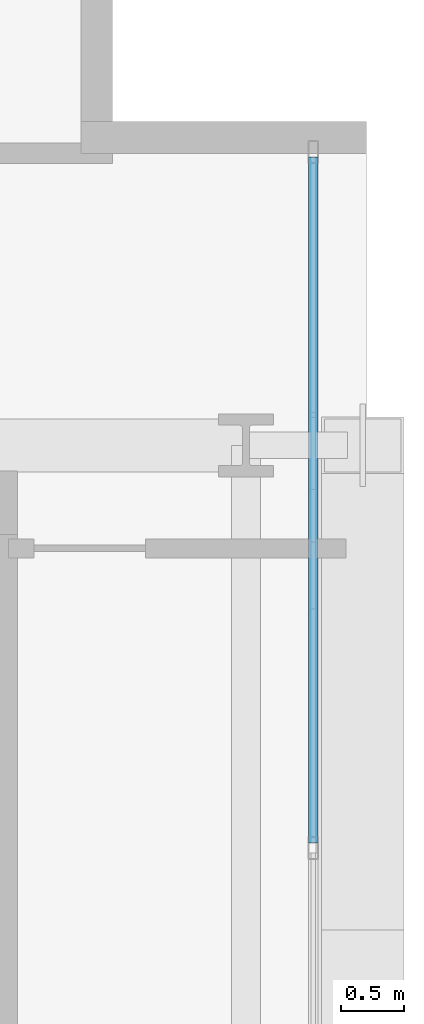
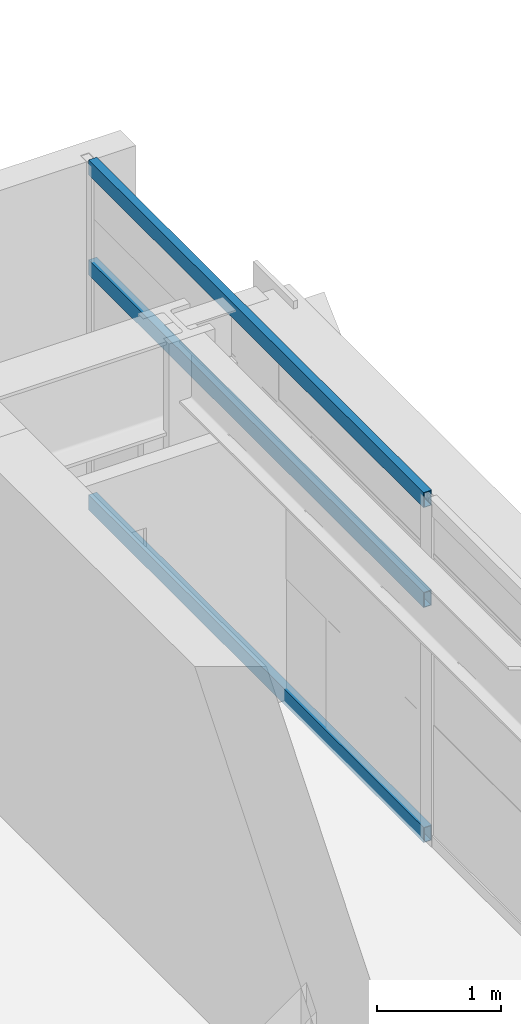
# One storey, part 15 of 32: 3 members, 1 element without a shape of its own.
"""IFC4 building model written with IfcOpenShell, lengths in metres."""

from ifc_helpers import new_model, si_unit, direction, frame, origin, origin_2d, place, context, subcontext, project, spatial, hollow_rectangle, extrude, source, transform, mapped, material, layer, layer_set, material_profile, profile_set, type_object, element, aggregate, save


model = new_model("IFC4")

# Units and contexts
model_context = context("Model", 3, precision=1e-05, world=origin(), true_north=direction((0.0, 1.0)))
body_context = subcontext(model_context, "Body", "Model", "MODEL_VIEW")
ifc_project = project(units=[si_unit("LENGTHUNIT", "METRE"), si_unit("AREAUNIT", "SQUARE_METRE"), si_unit("VOLUMEUNIT", "CUBIC_METRE"), si_unit("PLANEANGLEUNIT", "RADIAN"), si_unit("MASSUNIT", "GRAM", prefix="KILO")], contexts=[model_context])

# Site, building, storey
site_placement = place(None, origin())
site = spatial("IfcSite", under=ifc_project, at=site_placement, CompositionType="ELEMENT")
building_placement = place(site_placement, origin())
building = spatial("IfcBuilding", under=site, at=building_placement, Name="Ocotamira Hotel", CompositionType="ELEMENT")
storey_placement = place(building_placement, frame((0.0, 0.0, 213.60009765625)))
storey = spatial("IfcBuildingStorey", under=building, at=storey_placement, Name="L54", CompositionType="ELEMENT", Elevation=213.60009765625)

# Curtain wall, members
ifc_material_1 = material(Name="Anodised pale-metal aluminium and solar glass", Category="aluminium")
ifc_layer = layer(ifc_material_1, 0.199951171875)
ifc_layer_set = layer_set([ifc_layer], Name="Anodised pale-metal aluminium and solar glass")
curtain_wall_type = type_object("IfcCurtainWallType", Name="CW-SYS4-Z3", PredefinedType="NOTDEFINED", material=ifc_layer_set)
curtain_wall_placement = place(storey_placement, origin())
curtain_wall = element("IfcCurtainWall", 1, at=curtain_wall_placement, inside=storey, type_object=curtain_wall_type, Name="L54 Curtain Wall CW-4 CW-L54-E", PredefinedType="NOTDEFINED")
ifc_material_2 = material(Name="Anodised pale-metal aluminium 6063-T6", Category="aluminium")
ifc_material_profile = material_profile(ifc_material_2, hollow_rectangle(XDim=0.074951171875, YDim=0.14990234375, WallThickness=0.006103515625, at=origin_2d()), Name="HSS150X75X6")
ifc_profile_set = profile_set([ifc_material_profile], Name="Anodised pale-metal aluminium 6063-T6")
member_type = type_object("IfcMemberType", Name="CWT-150X75", PredefinedType="USERDEFINED", material=ifc_profile_set)
shared_shape = source(origin(), body_context, "Body", "SweptSolid", [
    extrude(hollow_rectangle(XDim=0.074951171875, YDim=0.14990234375, WallThickness=0.006103515625, at=origin_2d()), origin(), (0.0, 0.0, 1.0), 5.39990234375),
])
member_1_placement = place(storey_placement, frame((55.580078125, 34.320068359375, 0.037353515625), z_axis=(0.0, 1.0, 0.0), x_axis=(-1.0, 0.0, 0.0)))
member_1 = element("IfcMember", 2, at=member_1_placement, type_object=member_type, Name="CW-4 transom 5.1", ObjectType="TRANSOM", PredefinedType="USERDEFINED", context=body_context, shape_type="MappedRepresentation", body=[
    mapped(shared_shape, transform((0.0, 0.0, 0.0), scale=1.0)),
])
member_2_placement = place(storey_placement, frame((55.580078125, 34.320068359375, 2.349853515625), z_axis=(0.0, 1.0, 0.0), x_axis=(-1.0, 0.0, 0.0)))
member_2 = element("IfcMember", 3, at=member_2_placement, type_object=member_type, Name="CW-4 transom 5.2", ObjectType="TRANSOM", PredefinedType="USERDEFINED", context=body_context, shape_type="MappedRepresentation", body=[
    mapped(shared_shape, transform((0.0, 0.0, 0.0), scale=1.0)),
])
member_3_placement = place(storey_placement, frame((55.580078125, 34.320068359375, 3.33251953125), z_axis=(0.0, 1.0, 0.0), x_axis=(-1.0, 0.0, 0.0)))
member_3 = element("IfcMember", 4, at=member_3_placement, type_object=member_type, Name="CW-4 transom 5.3", ObjectType="TRANSOM", PredefinedType="USERDEFINED", context=body_context, shape_type="MappedRepresentation", body=[
    mapped(shared_shape, transform((0.0, 0.0, 0.0), scale=1.0)),
])
aggregate(curtain_wall, [member_1, member_2, member_3])

save(model, "model.ifc")
